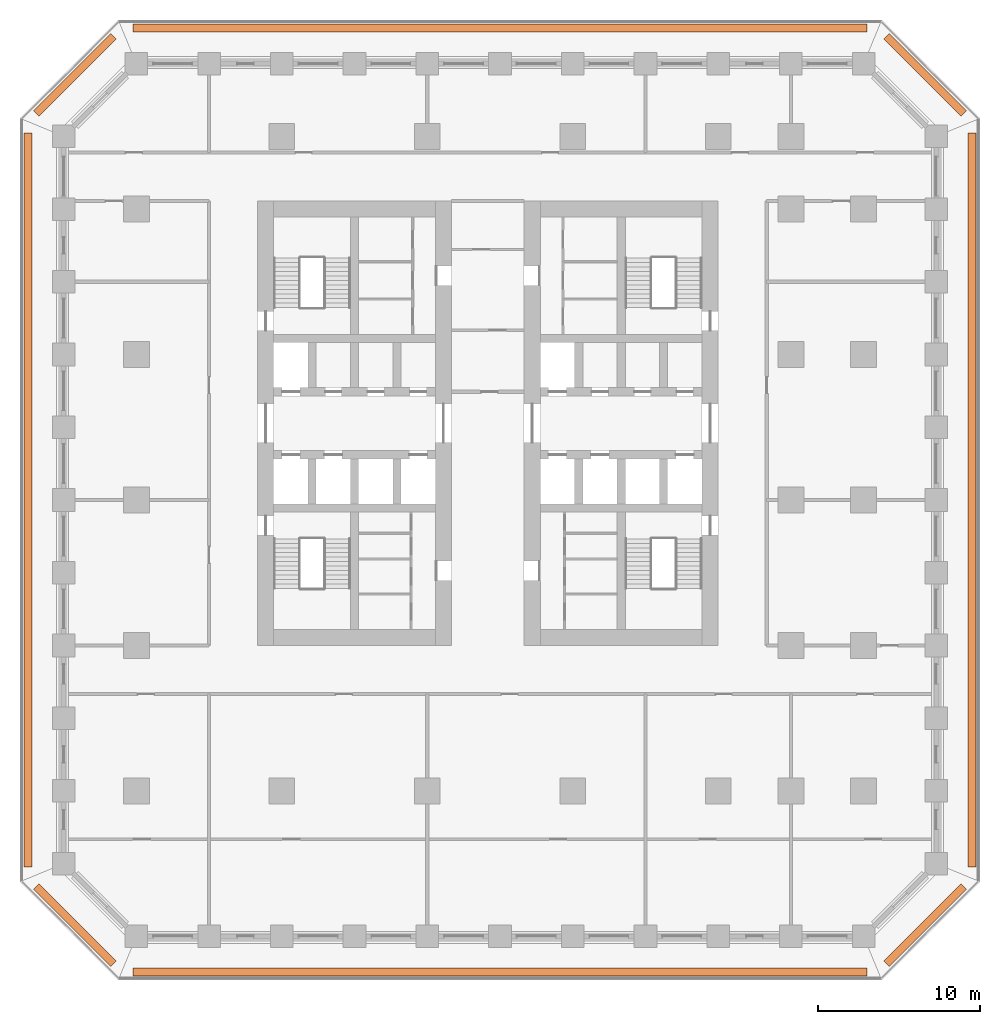
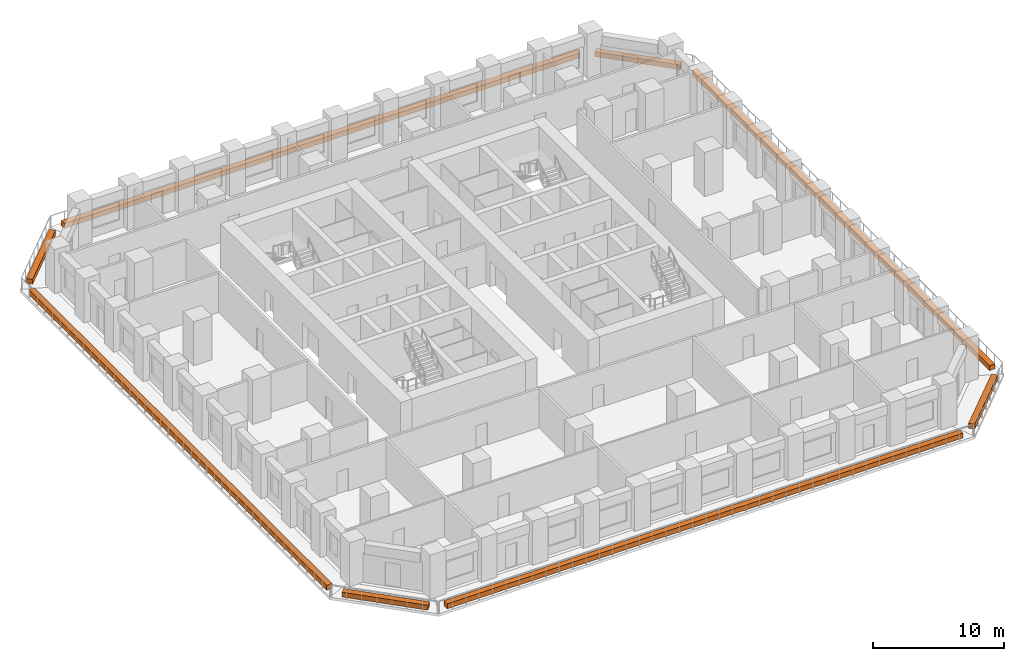
# One storey, part 11 of 11: 8 proxies.
"""IFC4 building model written with IfcOpenShell, lengths in metres."""

from ifc_helpers import new_model, si_unit, direction, frame, origin, origin_2d, place, context, subcontext, project, spatial, rectangle, extrude, material, type_object, element, save


model = new_model("IFC4")

# Units and contexts
model_context = context("Model", 3, precision=1e-05, world=origin(), true_north=direction((0.0, 1.0)))
body_context = subcontext(model_context, "Body", "Model", "MODEL_VIEW")
ifc_project = project(units=[si_unit("LENGTHUNIT", "METRE"), si_unit("AREAUNIT", "SQUARE_METRE"), si_unit("VOLUMEUNIT", "CUBIC_METRE"), si_unit("PLANEANGLEUNIT", "RADIAN"), si_unit("MASSUNIT", "GRAM", prefix="KILO")], contexts=[model_context])

# Site, building, storey
site_placement = place(None, origin())
site = spatial("IfcSite", under=ifc_project, at=site_placement, CompositionType="ELEMENT")
building_placement = place(site_placement, origin())
building = spatial("IfcBuilding", under=site, at=building_placement, Name="Corbel Stack Research Tower", CompositionType="ELEMENT")
storey_placement = place(building_placement, frame((0.0, 0.0, 54.199951171875)))
storey = spatial("IfcBuildingStorey", under=building, at=storey_placement, Name="L12", CompositionType="ELEMENT", Elevation=54.199951171875)

# Proxies
ifc_material = material(Name="Concrete C45/55", Category="concrete")
building_element_proxy_type = type_object("IfcBuildingElementProxyType", Name="Planter box", PredefinedType="USERDEFINED", material=ifc_material)
proxy_1_placement = place(storey_placement, frame((4.5, -29.199951171875, 0.0), z_axis=(0.0, 0.0, 1.0), x_axis=(1.0, 0.0, 0.0)))
element("IfcBuildingElementProxy", 1, at=proxy_1_placement, inside=storey, type_object=building_element_proxy_type, Name="Planter L12 S", ObjectType="PLANTER", PredefinedType="USERDEFINED", context=body_context, shape_type="SweptSolid", body=[
    extrude(rectangle(XDim=45.41064453125, YDim=0.5, at=origin_2d()), origin(), (0.0, 0.0, 1.0), 0.449951171875),
])
proxy_2_placement = place(storey_placement, frame((30.8056640625, -26.3056640625, 0.0), z_axis=(0.0, 0.0, 1.0), x_axis=(0.707106781187, 0.707106781187, 0.0)))
element("IfcBuildingElementProxy", 2, at=proxy_2_placement, inside=storey, type_object=building_element_proxy_type, Name="Planter L12 SE", ObjectType="PLANTER", PredefinedType="USERDEFINED", context=body_context, shape_type="SweptSolid", body=[
    extrude(rectangle(XDim=6.774658203125, YDim=0.5, at=origin_2d()), origin(), (0.0, 0.0, 1.0), 0.449951171875),
])
proxy_3_placement = place(storey_placement, frame((33.699951171875, 0.0, 0.0), z_axis=(0.0, 0.0, 1.0), x_axis=(0.0, 1.0, 0.0)))
element("IfcBuildingElementProxy", 3, at=proxy_3_placement, inside=storey, type_object=building_element_proxy_type, Name="Planter L12 E", ObjectType="PLANTER", PredefinedType="USERDEFINED", context=body_context, shape_type="SweptSolid", body=[
    extrude(rectangle(XDim=45.41064453125, YDim=0.5, at=origin_2d()), origin(), (0.0, 0.0, 1.0), 0.449951171875),
])
proxy_4_placement = place(storey_placement, frame((30.8056640625, 26.3056640625, 0.0), z_axis=(0.0, 0.0, 1.0), x_axis=(-0.707106781187, 0.707106781187, 0.0)))
element("IfcBuildingElementProxy", 4, at=proxy_4_placement, inside=storey, type_object=building_element_proxy_type, Name="Planter L12 NE", ObjectType="PLANTER", PredefinedType="USERDEFINED", context=body_context, shape_type="SweptSolid", body=[
    extrude(rectangle(XDim=6.774658203125, YDim=0.5, at=origin_2d()), origin(), (0.0, 0.0, 1.0), 0.449951171875),
])
proxy_5_placement = place(storey_placement, frame((4.5, 29.199951171875, 0.0), z_axis=(0.0, 0.0, 1.0), x_axis=(-1.0, 0.0, 0.0)))
element("IfcBuildingElementProxy", 5, at=proxy_5_placement, inside=storey, type_object=building_element_proxy_type, Name="Planter L12 N", ObjectType="PLANTER", PredefinedType="USERDEFINED", context=body_context, shape_type="SweptSolid", body=[
    extrude(rectangle(XDim=45.41064453125, YDim=0.5, at=origin_2d()), origin(), (0.0, 0.0, 1.0), 0.449951171875),
])
proxy_6_placement = place(storey_placement, frame((-21.8056640625, 26.3056640625, 0.0), z_axis=(0.0, 0.0, 1.0), x_axis=(-0.707106781187, -0.707106781187, 0.0)))
element("IfcBuildingElementProxy", 6, at=proxy_6_placement, inside=storey, type_object=building_element_proxy_type, Name="Planter L12 NW", ObjectType="PLANTER", PredefinedType="USERDEFINED", context=body_context, shape_type="SweptSolid", body=[
    extrude(rectangle(XDim=6.774658203125, YDim=0.5, at=origin_2d()), origin(), (0.0, 0.0, 1.0), 0.449951171875),
])
proxy_7_placement = place(storey_placement, frame((-24.699951171875, 0.0, 0.0), z_axis=(0.0, 0.0, 1.0), x_axis=(0.0, -1.0, 0.0)))
element("IfcBuildingElementProxy", 7, at=proxy_7_placement, inside=storey, type_object=building_element_proxy_type, Name="Planter L12 W", ObjectType="PLANTER", PredefinedType="USERDEFINED", context=body_context, shape_type="SweptSolid", body=[
    extrude(rectangle(XDim=45.41064453125, YDim=0.5, at=origin_2d()), origin(), (0.0, 0.0, 1.0), 0.449951171875),
])
proxy_8_placement = place(storey_placement, frame((-21.8056640625, -26.3056640625, 0.0), z_axis=(0.0, 0.0, 1.0), x_axis=(0.707106781187, -0.707106781187, 0.0)))
element("IfcBuildingElementProxy", 8, at=proxy_8_placement, inside=storey, type_object=building_element_proxy_type, Name="Planter L12 SW", ObjectType="PLANTER", PredefinedType="USERDEFINED", context=body_context, shape_type="SweptSolid", body=[
    extrude(rectangle(XDim=6.774658203125, YDim=0.5, at=origin_2d()), origin(), (0.0, 0.0, 1.0), 0.449951171875),
])

save(model, "model.ifc")
